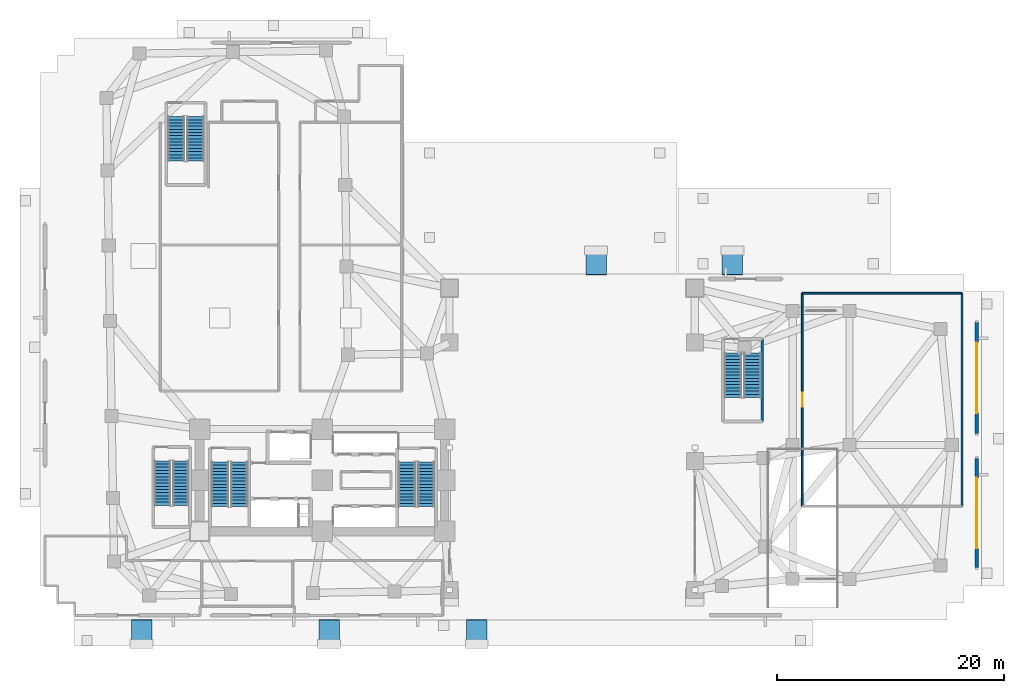
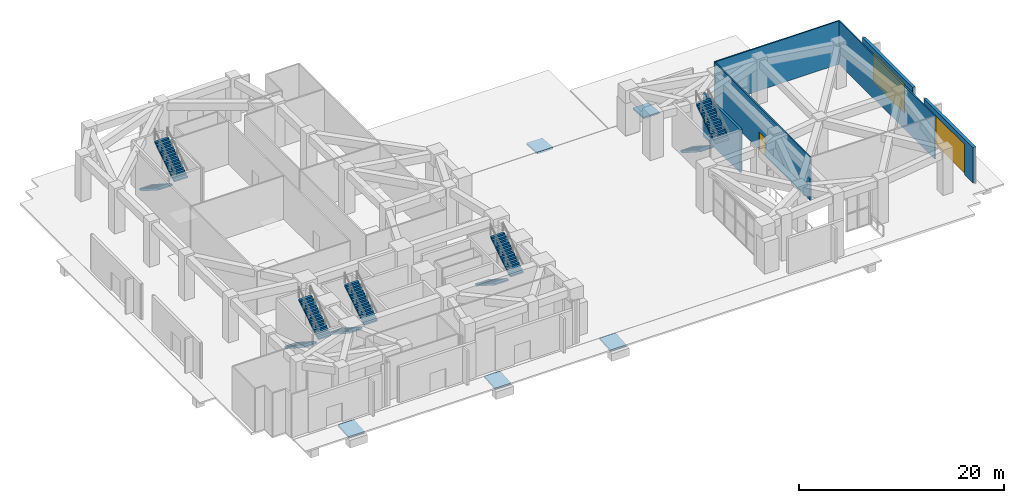
# One storey, part 13 of 19: 10 stair flights, 6 walls, 5 ramp flights, 3 doors, 3 openings, 10 elements without a shape of their own.
"""IFC4 building model written with IfcOpenShell, lengths in metres."""

from ifc_helpers import new_model, si_unit, direction, frame, frame_2d, origin, place, context, subcontext, project, spatial, polyline, rectangle, outline, extrude, material, layer, layer_set, type_object, element, fill, aggregate, save


model = new_model("IFC4")

# Units and contexts
model_context = context("Model", 3, precision=1e-05, world=origin(), true_north=direction((0.0, 1.0)))
body_context = subcontext(model_context, "Body", "Model", "MODEL_VIEW")
ifc_project = project(units=[si_unit("LENGTHUNIT", "METRE"), si_unit("AREAUNIT", "SQUARE_METRE"), si_unit("VOLUMEUNIT", "CUBIC_METRE"), si_unit("PLANEANGLEUNIT", "RADIAN"), si_unit("MASSUNIT", "GRAM", prefix="KILO")], contexts=[model_context])

# Site, building, storey
site_placement = place(None, origin())
site = spatial("IfcSite", under=ifc_project, at=site_placement, CompositionType="ELEMENT")
building_placement = place(site_placement, origin())
building = spatial("IfcBuilding", under=site, at=building_placement, Name="Gaonmaruhae Medical Tower", CompositionType="ELEMENT")
storey_placement = place(building_placement, origin())
storey = spatial("IfcBuildingStorey", under=building, at=storey_placement, Name="L00", CompositionType="ELEMENT", Elevation=0.0)

# Wall, opening, door
ifc_material_1 = material(Name="Precast concrete C45/55", Category="concrete")
ifc_layer_1 = layer(ifc_material_1, 0.320068359375)
ifc_layer_set_1 = layer_set([ifc_layer_1], Name="Precast concrete C45/55")
wall_type_1 = type_object("IfcWallType", Name="EW-320 Lower Precast Masonry-Frame Facade Wall", PredefinedType="SOLIDWALL", material=ifc_layer_set_1)
wall_1_placement = place(storey_placement, frame((82.39990234375, 14.199951171875, 0.0), z_axis=(0.0, 0.0, 1.0), x_axis=(0.0, -1.0, 0.0)))
wall_1 = element("IfcWall", 1, at=wall_1_placement, inside=storey, type_object=wall_type_1, Name="L00 Precast Facade Wall PB-E1", PredefinedType="SOLIDWALL", context=body_context, shape_type="SweptSolid", body=[
    extrude(rectangle(XDim=9.599853515625, YDim=0.320068359375, at=frame_2d((4.7998046875, 0.0))), origin(), (0.0, 0.0, 1.0), 4.22998046875),
])
opening_1_placement = place(wall_1_placement, frame((1.699951171875, 0.0, 0.0)))
opening_1 = element("IfcOpeningElement", 2, at=opening_1_placement, cuts=wall_1, Name="Opening GT-01", PredefinedType="OPENING", context=body_context, shape_type="SweptSolid", body=[
    extrude(rectangle(XDim=6.199951171875, YDim=3.60009765625, at=frame_2d((3.10009765625, 1.800048828125))), frame((0.0, 0.169921875, 0.0), z_axis=(0.0, -1.0, 0.0), x_axis=(1.0, 0.0, 0.0)), (0.0, 0.0, 1.0), 0.340087890625),
])
ifc_material_2 = material(Name="Insulated galvanised steel shutter", Category="steel")
door_type_1 = type_object("IfcDoorType", Name="GT-01 Vehicle Ramp & Ambulance Bay Roller Gate 6200x3600", OperationType="NOTDEFINED", PredefinedType="GATE", material=ifc_material_2)
door_1_placement = place(opening_1_placement, origin())
door_1 = element("IfcDoor", 3, at=door_1_placement, inside=storey, type_object=door_type_1, Name="L00 Car Park Vehicle Ramp Shutter Gate GT-01", OperationType="ROLLINGUP", OverallHeight=3.60009765625, OverallWidth=6.199951171875, PredefinedType="GATE", context=body_context, shape_type="SweptSolid", body=[
    extrude(rectangle(XDim=6.199951171875, YDim=3.60009765625, at=frame_2d((3.10009765625, 1.800048828125))), frame((0.0, 0.02490234375, 0.0), z_axis=(0.0, -1.0, 0.0), x_axis=(1.0, 0.0, 0.0)), (0.0, 0.0, 1.0), 0.050048828125),
])
fill(opening_1, door_1)

wall_2_placement = place(storey_placement, frame((82.39990234375, 26.199951171875, 0.0), z_axis=(0.0, 0.0, 1.0), x_axis=(0.0, -1.0, 0.0)))
wall_2 = element("IfcWall", 4, at=wall_2_placement, inside=storey, type_object=wall_type_1, Name="L00 Precast Facade Wall PB-E2", PredefinedType="SOLIDWALL", context=body_context, shape_type="SweptSolid", body=[
    extrude(rectangle(XDim=9.800048828125, YDim=0.320068359375, at=frame_2d((4.89990234375, 0.0))), origin(), (0.0, 0.0, 1.0), 4.22998046875),
])
opening_2_placement = place(wall_2_placement, frame((1.800048828125, 0.0, 0.0)))
opening_2 = element("IfcOpeningElement", 5, at=opening_2_placement, cuts=wall_2, Name="Opening GT-01", PredefinedType="OPENING", context=body_context, shape_type="SweptSolid", body=[
    extrude(rectangle(XDim=6.199951171875, YDim=3.60009765625, at=frame_2d((3.10009765625, 1.800048828125))), frame((0.0, 0.169921875, 0.0), z_axis=(0.0, -1.0, 0.0), x_axis=(1.0, 0.0, 0.0)), (0.0, 0.0, 1.0), 0.340087890625),
])
door_2_placement = place(opening_2_placement, origin())
door_2 = element("IfcDoor", 6, at=door_2_placement, inside=storey, type_object=door_type_1, Name="L00 Ambulance & Service Bay Gate GT-02", OperationType="ROLLINGUP", OverallHeight=3.60009765625, OverallWidth=6.199951171875, PredefinedType="GATE", context=body_context, shape_type="SweptSolid", body=[
    extrude(rectangle(XDim=6.199951171875, YDim=3.60009765625, at=frame_2d((3.10009765625, 1.800048828125))), frame((0.0, 0.02490234375, 0.0), z_axis=(0.0, -1.0, 0.0), x_axis=(1.0, 0.0, 0.0)), (0.0, 0.0, 1.0), 0.050048828125),
])
fill(opening_2, door_2)

# Walls
ifc_material_3 = material(Name="Gypsum board partition", Category="gypsum")
ifc_layer_2 = layer(ifc_material_3, 0.14990234375)
ifc_layer_set_2 = layer_set([ifc_layer_2], Name="Gypsum board partition")
wall_type_2 = type_object("IfcWallType", Name="PW-150 Rated Clinical Corridor Partition", PredefinedType="PARTITIONING", material=ifc_layer_set_2)
wall_3_placement = place(storey_placement, frame((67.050048828125, 28.75, 0.0), z_axis=(0.0, 0.0, 1.0), x_axis=(1.0, 0.0, 0.0)))
element("IfcWall", 7, at=wall_3_placement, inside=storey, type_object=wall_type_2, Name="L00 Interior Partition L00-EDP-48", PredefinedType="PARTITIONING", context=body_context, shape_type="SweptSolid", body=[
    extrude(rectangle(XDim=14.050048828125, YDim=0.14990234375, at=frame_2d((7.02490234375, 0.0))), origin(), (0.0, 0.0, 1.0), 5.14990234375),
])
wall_4_placement = place(storey_placement, frame((81.10009765625, 28.75, 0.0), z_axis=(0.0, 0.0, 1.0), x_axis=(0.0, -1.0, 0.0)))
element("IfcWall", 8, at=wall_4_placement, inside=storey, type_object=wall_type_2, Name="L00 Interior Partition L00-EDP-49", PredefinedType="PARTITIONING", context=body_context, shape_type="SweptSolid", body=[
    extrude(rectangle(XDim=18.75, YDim=0.14990234375, at=frame_2d((9.375, 0.0))), origin(), (0.0, 0.0, 1.0), 5.14990234375),
])

# Wall, opening, door
wall_5_placement = place(storey_placement, frame((67.050048828125, 10.0, 0.0), z_axis=(0.0, 0.0, 1.0), x_axis=(0.0, 1.0, 0.0)))
wall_5 = element("IfcWall", 9, at=wall_5_placement, inside=storey, type_object=wall_type_2, Name="L00 Interior Partition L00-EDP-51", PredefinedType="PARTITIONING", context=body_context, shape_type="SweptSolid", body=[
    extrude(rectangle(XDim=18.75, YDim=0.14990234375, at=frame_2d((9.375, 0.0))), origin(), (0.0, 0.0, 1.0), 5.14990234375),
])
opening_3_placement = place(wall_5_placement, frame((8.77490234375, 0.0, 0.0)))
opening_3 = element("IfcOpeningElement", 10, at=opening_3_placement, cuts=wall_5, Name="Opening CD-02", PredefinedType="OPENING", context=body_context, shape_type="SweptSolid", body=[
    extrude(rectangle(XDim=1.199951171875, YDim=2.14990234375, at=frame_2d((0.60009765625, 1.074951171875))), frame((0.0, 0.0849609375, 0.0), z_axis=(0.0, -1.0, 0.0), x_axis=(1.0, 0.0, 0.0)), (0.0, 0.0, 1.0), 0.169921875),
])
ifc_material_4 = material(Name="Antimicrobial laminate timber fire door", Category="wood")
door_type_2 = type_object("IfcDoorType", Name="CD-02 Clinical Treatment & Procedure Door 1200x2150", OperationType="NOTDEFINED", PredefinedType="DOOR", material=ifc_material_4)
door_3_placement = place(opening_3_placement, origin())
door_3 = element("IfcDoor", 11, at=door_3_placement, inside=storey, type_object=door_type_2, Name="L00 East Annex Ambulance Dispatch Suite Door", OperationType="SINGLE_SWING_LEFT", OverallHeight=2.14990234375, OverallWidth=1.199951171875, PredefinedType="DOOR", context=body_context, shape_type="SweptSolid", body=[
    extrude(rectangle(XDim=1.199951171875, YDim=2.14990234375, at=frame_2d((0.60009765625, 1.074951171875))), frame((0.0, 0.02490234375, 0.0), z_axis=(0.0, -1.0, 0.0), x_axis=(1.0, 0.0, 0.0)), (0.0, 0.0, 1.0), 0.050048828125),
])
fill(opening_3, door_3)

# Wall
ifc_material_5 = material(Name="Concrete C50/60", Category="concrete")
ifc_layer_3 = layer(ifc_material_5, 0.239990234375)
ifc_layer_set_3 = layer_set([ifc_layer_3], Name="Concrete C50/60")
wall_type_3 = type_object("IfcWallType", Name="SW-240 Dogleg Stair Tight Shaft Wall", PredefinedType="SOLIDWALL", material=ifc_layer_set_3)
wall_6_placement = place(storey_placement, frame((63.530029296875, 24.719970703125, 0.0), z_axis=(0.0, 0.0, 1.0), x_axis=(0.0, -1.0, 0.0)))
element("IfcWall", 12, at=wall_6_placement, inside=storey, type_object=wall_type_3, Name="L00 ST-04 Stair Shaft Wall SHW-ST-04-E", PredefinedType="SOLIDWALL", context=body_context, shape_type="SweptSolid", body=[
    extrude(rectangle(XDim=7.25, YDim=0.239990234375, at=frame_2d((3.625, 0.0))), origin(), (0.0, 0.0, 1.0), 5.14990234375),
])

# Stair, stair flights
ifc_material_6 = material(Name="Concrete C40/50", Category="concrete")
stair_type_1 = type_object("IfcStairType", Name="ST-T1 Primary Core Escape Dogleg Stair", PredefinedType="TWO_QUARTER_TURN_STAIR", material=ifc_material_6)
stair_1_placement = place(storey_placement, origin())
stair_1 = element("IfcStair", 13, at=stair_1_placement, inside=storey, type_object=stair_type_1, Name="L00 Protected Escape Stair ST-01", PredefinedType="TWO_QUARTER_TURN_STAIR")
stair_flight_type_1 = type_object("IfcStairFlightType", Name="SF-T1 Primary Core Precast Stair Flight", PredefinedType="STRAIGHT", material=ifc_material_6)
stair_flight_1_placement = place(storey_placement, frame((15.800048828125, 13.89990234375, 0.0), z_axis=(0.0, 0.0, 1.0), x_axis=(0.0, -1.0, 0.0)))
stair_flight_1 = element("IfcStairFlight", 14, at=stair_flight_1_placement, type_object=stair_flight_type_1, Name="ST-01 flight 1", NumberOfRisers=15, NumberOfTreads=14, PredefinedType="STRAIGHT", RiserHeight=0.18, TreadLength=0.28, context=body_context, shape_type="SweptSolid", body=[
    extrude(outline(polyline([(0.0, 0.0), (0.0, 0.179931640625), (0.280029296875, 0.179931640625), (0.280029296875, 0.360107421875), (0.56005859375, 0.360107421875), (0.56005859375, 0.5400390625), (0.840087890625, 0.5400390625), (0.840087890625, 0.719970703125), (1.1201171875, 0.719970703125), (1.1201171875, 0.89990234375), (1.39990234375, 0.89990234375), (1.39990234375, 1.080078125), (1.679931640625, 1.080078125), (1.679931640625, 1.260009765625), (1.9599609375, 1.260009765625), (1.9599609375, 1.43994140625), (2.239990234375, 1.43994140625), (2.239990234375, 1.6201171875), (2.52001953125, 1.6201171875), (2.52001953125, 1.800048828125), (2.800048828125, 1.800048828125), (2.800048828125, 1.97998046875), (3.080078125, 1.97998046875), (3.080078125, 2.159912109375), (3.360107421875, 2.159912109375), (3.360107421875, 2.340087890625), (3.639892578125, 2.340087890625), (3.639892578125, 2.52001953125), (3.919921875, 2.52001953125), (3.919921875, 2.699951171875), (3.919921875, 2.341796875), (0.277099609375, 0.0), (0.0, 0.0)])), frame((0.0, 0.75, 0.0), z_axis=(0.0, -1.0, 0.0), x_axis=(1.0, 0.0, 0.0)), (0.0, 0.0, 1.0), 1.5),
])
stair_flight_2_placement = place(storey_placement, frame((17.5, 9.97998046875, 2.699951171875), z_axis=(0.0, 0.0, 1.0), x_axis=(0.0, 1.0, 0.0)))
stair_flight_2 = element("IfcStairFlight", 15, at=stair_flight_2_placement, type_object=stair_flight_type_1, Name="ST-01 flight 2", NumberOfRisers=15, NumberOfTreads=14, PredefinedType="STRAIGHT", RiserHeight=0.18, TreadLength=0.28, context=body_context, shape_type="SweptSolid", body=[
    extrude(outline(polyline([(0.0, 0.0), (0.0, 0.179931640625), (0.280029296875, 0.179931640625), (0.280029296875, 0.360107421875), (0.56005859375, 0.360107421875), (0.56005859375, 0.5400390625), (0.840087890625, 0.5400390625), (0.840087890625, 0.719970703125), (1.1201171875, 0.719970703125), (1.1201171875, 0.89990234375), (1.39990234375, 0.89990234375), (1.39990234375, 1.080078125), (1.679931640625, 1.080078125), (1.679931640625, 1.260009765625), (1.9599609375, 1.260009765625), (1.9599609375, 1.43994140625), (2.239990234375, 1.43994140625), (2.239990234375, 1.6201171875), (2.52001953125, 1.6201171875), (2.52001953125, 1.800048828125), (2.800048828125, 1.800048828125), (2.800048828125, 1.97998046875), (3.080078125, 1.97998046875), (3.080078125, 2.159912109375), (3.360107421875, 2.159912109375), (3.360107421875, 2.340087890625), (3.639892578125, 2.340087890625), (3.639892578125, 2.52001953125), (3.919921875, 2.52001953125), (3.919921875, 2.699951171875), (3.919921875, 2.341796875), (0.277099609375, 0.0), (0.0, 0.0)])), frame((0.0, 0.75, 0.0), z_axis=(0.0, -1.0, 0.0), x_axis=(1.0, 0.0, 0.0)), (0.0, 0.0, 1.0), 1.5),
])
aggregate(stair_1, [stair_flight_1, stair_flight_2])

stair_2_placement = place(storey_placement, origin())
stair_2 = element("IfcStair", 16, at=stair_2_placement, inside=storey, type_object=stair_type_1, Name="L00 Protected Escape Stair ST-02", PredefinedType="TWO_QUARTER_TURN_STAIR")
stair_flight_3_placement = place(storey_placement, frame((32.25, 13.89990234375, 0.0), z_axis=(0.0, 0.0, 1.0), x_axis=(0.0, -1.0, 0.0)))
stair_flight_3 = element("IfcStairFlight", 17, at=stair_flight_3_placement, type_object=stair_flight_type_1, Name="ST-02 flight 1", NumberOfRisers=15, NumberOfTreads=14, PredefinedType="STRAIGHT", RiserHeight=0.18, TreadLength=0.28, context=body_context, shape_type="SweptSolid", body=[
    extrude(outline(polyline([(0.0, 0.0), (0.0, 0.179931640625), (0.280029296875, 0.179931640625), (0.280029296875, 0.360107421875), (0.56005859375, 0.360107421875), (0.56005859375, 0.5400390625), (0.840087890625, 0.5400390625), (0.840087890625, 0.719970703125), (1.1201171875, 0.719970703125), (1.1201171875, 0.89990234375), (1.39990234375, 0.89990234375), (1.39990234375, 1.080078125), (1.679931640625, 1.080078125), (1.679931640625, 1.260009765625), (1.9599609375, 1.260009765625), (1.9599609375, 1.43994140625), (2.239990234375, 1.43994140625), (2.239990234375, 1.6201171875), (2.52001953125, 1.6201171875), (2.52001953125, 1.800048828125), (2.800048828125, 1.800048828125), (2.800048828125, 1.97998046875), (3.080078125, 1.97998046875), (3.080078125, 2.159912109375), (3.360107421875, 2.159912109375), (3.360107421875, 2.340087890625), (3.639892578125, 2.340087890625), (3.639892578125, 2.52001953125), (3.919921875, 2.52001953125), (3.919921875, 2.699951171875), (3.919921875, 2.341796875), (0.277099609375, 0.0), (0.0, 0.0)])), frame((0.0, 0.75, 0.0), z_axis=(0.0, -1.0, 0.0), x_axis=(1.0, 0.0, 0.0)), (0.0, 0.0, 1.0), 1.5),
])
stair_flight_4_placement = place(storey_placement, frame((33.949951171875, 9.97998046875, 2.699951171875), z_axis=(0.0, 0.0, 1.0), x_axis=(0.0, 1.0, 0.0)))
stair_flight_4 = element("IfcStairFlight", 18, at=stair_flight_4_placement, type_object=stair_flight_type_1, Name="ST-02 flight 2", NumberOfRisers=15, NumberOfTreads=14, PredefinedType="STRAIGHT", RiserHeight=0.18, TreadLength=0.28, context=body_context, shape_type="SweptSolid", body=[
    extrude(outline(polyline([(0.0, 0.0), (0.0, 0.179931640625), (0.280029296875, 0.179931640625), (0.280029296875, 0.360107421875), (0.56005859375, 0.360107421875), (0.56005859375, 0.5400390625), (0.840087890625, 0.5400390625), (0.840087890625, 0.719970703125), (1.1201171875, 0.719970703125), (1.1201171875, 0.89990234375), (1.39990234375, 0.89990234375), (1.39990234375, 1.080078125), (1.679931640625, 1.080078125), (1.679931640625, 1.260009765625), (1.9599609375, 1.260009765625), (1.9599609375, 1.43994140625), (2.239990234375, 1.43994140625), (2.239990234375, 1.6201171875), (2.52001953125, 1.6201171875), (2.52001953125, 1.800048828125), (2.800048828125, 1.800048828125), (2.800048828125, 1.97998046875), (3.080078125, 1.97998046875), (3.080078125, 2.159912109375), (3.360107421875, 2.159912109375), (3.360107421875, 2.340087890625), (3.639892578125, 2.340087890625), (3.639892578125, 2.52001953125), (3.919921875, 2.52001953125), (3.919921875, 2.699951171875), (3.919921875, 2.341796875), (0.277099609375, 0.0), (0.0, 0.0)])), frame((0.0, 0.75, 0.0), z_axis=(0.0, -1.0, 0.0), x_axis=(1.0, 0.0, 0.0)), (0.0, 0.0, 1.0), 1.5),
])
aggregate(stair_2, [stair_flight_3, stair_flight_4])

stair_type_2 = type_object("IfcStairType", Name="ST-T2 Zone 1 Escape Dogleg Stair", PredefinedType="TWO_QUARTER_TURN_STAIR", material=ifc_material_6)
stair_3_placement = place(storey_placement, origin())
stair_3 = element("IfcStair", 19, at=stair_3_placement, inside=storey, type_object=stair_type_2, Name="L00 Protected Escape Stair ST-03", PredefinedType="TWO_QUARTER_TURN_STAIR")
stair_flight_type_2 = type_object("IfcStairFlightType", Name="SF-T2 Zone 1 Precast Stair Flight", PredefinedType="STRAIGHT", material=ifc_material_6)
stair_flight_5_placement = place(storey_placement, frame((10.75, 14.0, 0.0), z_axis=(0.0, 0.0, 1.0), x_axis=(0.0, -1.0, 0.0)))
stair_flight_5 = element("IfcStairFlight", 20, at=stair_flight_5_placement, type_object=stair_flight_type_2, Name="ST-03 flight 1", NumberOfRisers=15, NumberOfTreads=14, PredefinedType="STRAIGHT", RiserHeight=0.18, TreadLength=0.28, context=body_context, shape_type="SweptSolid", body=[
    extrude(outline(polyline([(0.0, 0.0), (0.0, 0.179931640625), (0.280029296875, 0.179931640625), (0.280029296875, 0.360107421875), (0.56005859375, 0.360107421875), (0.56005859375, 0.5400390625), (0.840087890625, 0.5400390625), (0.840087890625, 0.719970703125), (1.1201171875, 0.719970703125), (1.1201171875, 0.89990234375), (1.39990234375, 0.89990234375), (1.39990234375, 1.080078125), (1.679931640625, 1.080078125), (1.679931640625, 1.260009765625), (1.9599609375, 1.260009765625), (1.9599609375, 1.43994140625), (2.239990234375, 1.43994140625), (2.239990234375, 1.6201171875), (2.52001953125, 1.6201171875), (2.52001953125, 1.800048828125), (2.800048828125, 1.800048828125), (2.800048828125, 1.97998046875), (3.080078125, 1.97998046875), (3.080078125, 2.159912109375), (3.360107421875, 2.159912109375), (3.360107421875, 2.340087890625), (3.639892578125, 2.340087890625), (3.639892578125, 2.52001953125), (3.919921875, 2.52001953125), (3.919921875, 2.699951171875), (3.919921875, 2.341796875), (0.277099609375, 0.0), (0.0, 0.0)])), frame((0.0, 0.699951171875, 0.0), z_axis=(0.0, -1.0, 0.0), x_axis=(1.0, 0.0, 0.0)), (0.0, 0.0, 1.0), 1.39990234375),
])
stair_flight_6_placement = place(storey_placement, frame((12.35009765625, 10.080078125, 2.699951171875), z_axis=(0.0, 0.0, 1.0), x_axis=(0.0, 1.0, 0.0)))
stair_flight_6 = element("IfcStairFlight", 21, at=stair_flight_6_placement, type_object=stair_flight_type_2, Name="ST-03 flight 2", NumberOfRisers=15, NumberOfTreads=14, PredefinedType="STRAIGHT", RiserHeight=0.18, TreadLength=0.28, context=body_context, shape_type="SweptSolid", body=[
    extrude(outline(polyline([(0.0, 0.0), (0.0, 0.179931640625), (0.280029296875, 0.179931640625), (0.280029296875, 0.360107421875), (0.56005859375, 0.360107421875), (0.56005859375, 0.5400390625), (0.840087890625, 0.5400390625), (0.840087890625, 0.719970703125), (1.1201171875, 0.719970703125), (1.1201171875, 0.89990234375), (1.39990234375, 0.89990234375), (1.39990234375, 1.080078125), (1.679931640625, 1.080078125), (1.679931640625, 1.260009765625), (1.9599609375, 1.260009765625), (1.9599609375, 1.43994140625), (2.239990234375, 1.43994140625), (2.239990234375, 1.6201171875), (2.52001953125, 1.6201171875), (2.52001953125, 1.800048828125), (2.800048828125, 1.800048828125), (2.800048828125, 1.97998046875), (3.080078125, 1.97998046875), (3.080078125, 2.159912109375), (3.360107421875, 2.159912109375), (3.360107421875, 2.340087890625), (3.639892578125, 2.340087890625), (3.639892578125, 2.52001953125), (3.919921875, 2.52001953125), (3.919921875, 2.699951171875), (3.919921875, 2.341796875), (0.277099609375, 0.0), (0.0, 0.0)])), frame((0.0, 0.699951171875, 0.0), z_axis=(0.0, -1.0, 0.0), x_axis=(1.0, 0.0, 0.0)), (0.0, 0.0, 1.0), 1.39990234375),
])
aggregate(stair_3, [stair_flight_5, stair_flight_6])

stair_type_3 = type_object("IfcStairType", Name="ST-T3 Podium Escape Dogleg Stair", PredefinedType="TWO_QUARTER_TURN_STAIR", material=ifc_material_6)
stair_4_placement = place(storey_placement, origin())
stair_4 = element("IfcStair", 22, at=stair_4_placement, inside=storey, type_object=stair_type_3, Name="L00 Protected Escape Stair ST-04", PredefinedType="TWO_QUARTER_TURN_STAIR")
stair_flight_type_3 = type_object("IfcStairFlightType", Name="SF-T3 Podium Precast Stair Flight", PredefinedType="STRAIGHT", material=ifc_material_6)
stair_flight_7_placement = place(storey_placement, frame((60.949951171875, 23.5, 0.0), z_axis=(0.0, 0.0, 1.0), x_axis=(0.0, -1.0, 0.0)))
stair_flight_7 = element("IfcStairFlight", 23, at=stair_flight_7_placement, type_object=stair_flight_type_3, Name="ST-04 flight 1", NumberOfRisers=15, NumberOfTreads=14, PredefinedType="STRAIGHT", RiserHeight=0.18, TreadLength=0.28, context=body_context, shape_type="SweptSolid", body=[
    extrude(outline(polyline([(0.0, 0.0), (0.0, 0.179931640625), (0.280029296875, 0.179931640625), (0.280029296875, 0.360107421875), (0.56005859375, 0.360107421875), (0.56005859375, 0.5400390625), (0.840087890625, 0.5400390625), (0.840087890625, 0.719970703125), (1.1201171875, 0.719970703125), (1.1201171875, 0.89990234375), (1.39990234375, 0.89990234375), (1.39990234375, 1.080078125), (1.679931640625, 1.080078125), (1.679931640625, 1.260009765625), (1.9599609375, 1.260009765625), (1.9599609375, 1.43994140625), (2.239990234375, 1.43994140625), (2.239990234375, 1.6201171875), (2.52001953125, 1.6201171875), (2.52001953125, 1.800048828125), (2.800048828125, 1.800048828125), (2.800048828125, 1.97998046875), (3.080078125, 1.97998046875), (3.080078125, 2.159912109375), (3.360107421875, 2.159912109375), (3.360107421875, 2.340087890625), (3.639892578125, 2.340087890625), (3.639892578125, 2.52001953125), (3.919921875, 2.52001953125), (3.919921875, 2.699951171875), (3.919921875, 2.341796875), (0.277099609375, 0.0), (0.0, 0.0)])), frame((0.0, 0.75, 0.0), z_axis=(0.0, -1.0, 0.0), x_axis=(1.0, 0.0, 0.0)), (0.0, 0.0, 1.0), 1.5),
])
stair_flight_8_placement = place(storey_placement, frame((62.64990234375, 19.580078125, 2.699951171875), z_axis=(0.0, 0.0, 1.0), x_axis=(0.0, 1.0, 0.0)))
stair_flight_8 = element("IfcStairFlight", 24, at=stair_flight_8_placement, type_object=stair_flight_type_3, Name="ST-04 flight 2", NumberOfRisers=15, NumberOfTreads=14, PredefinedType="STRAIGHT", RiserHeight=0.18, TreadLength=0.28, context=body_context, shape_type="SweptSolid", body=[
    extrude(outline(polyline([(0.0, 0.0), (0.0, 0.179931640625), (0.280029296875, 0.179931640625), (0.280029296875, 0.360107421875), (0.56005859375, 0.360107421875), (0.56005859375, 0.5400390625), (0.840087890625, 0.5400390625), (0.840087890625, 0.719970703125), (1.1201171875, 0.719970703125), (1.1201171875, 0.89990234375), (1.39990234375, 0.89990234375), (1.39990234375, 1.080078125), (1.679931640625, 1.080078125), (1.679931640625, 1.260009765625), (1.9599609375, 1.260009765625), (1.9599609375, 1.43994140625), (2.239990234375, 1.43994140625), (2.239990234375, 1.6201171875), (2.52001953125, 1.6201171875), (2.52001953125, 1.800048828125), (2.800048828125, 1.800048828125), (2.800048828125, 1.97998046875), (3.080078125, 1.97998046875), (3.080078125, 2.159912109375), (3.360107421875, 2.159912109375), (3.360107421875, 2.340087890625), (3.639892578125, 2.340087890625), (3.639892578125, 2.52001953125), (3.919921875, 2.52001953125), (3.919921875, 2.699951171875), (3.919921875, 2.341796875), (0.277099609375, 0.0), (0.0, 0.0)])), frame((0.0, 0.75, 0.0), z_axis=(0.0, -1.0, 0.0), x_axis=(1.0, 0.0, 0.0)), (0.0, 0.0, 1.0), 1.5),
])
aggregate(stair_4, [stair_flight_7, stair_flight_8])

stair_5_placement = place(storey_placement, origin())
stair_5 = element("IfcStair", 25, at=stair_5_placement, inside=storey, type_object=stair_type_3, Name="L00 Protected Escape Stair ST-05", PredefinedType="TWO_QUARTER_TURN_STAIR")
stair_flight_9_placement = place(storey_placement, frame((11.949951171875, 44.300048828125, 0.0), z_axis=(0.0, 0.0, 1.0), x_axis=(0.0, -1.0, 0.0)))
stair_flight_9 = element("IfcStairFlight", 26, at=stair_flight_9_placement, type_object=stair_flight_type_3, Name="ST-05 flight 1", NumberOfRisers=15, NumberOfTreads=14, PredefinedType="STRAIGHT", RiserHeight=0.18, TreadLength=0.28, context=body_context, shape_type="SweptSolid", body=[
    extrude(outline(polyline([(0.0, 0.0), (0.0, 0.179931640625), (0.280029296875, 0.179931640625), (0.280029296875, 0.360107421875), (0.56005859375, 0.360107421875), (0.56005859375, 0.5400390625), (0.840087890625, 0.5400390625), (0.840087890625, 0.719970703125), (1.1201171875, 0.719970703125), (1.1201171875, 0.89990234375), (1.39990234375, 0.89990234375), (1.39990234375, 1.080078125), (1.679931640625, 1.080078125), (1.679931640625, 1.260009765625), (1.9599609375, 1.260009765625), (1.9599609375, 1.43994140625), (2.239990234375, 1.43994140625), (2.239990234375, 1.6201171875), (2.52001953125, 1.6201171875), (2.52001953125, 1.800048828125), (2.800048828125, 1.800048828125), (2.800048828125, 1.97998046875), (3.080078125, 1.97998046875), (3.080078125, 2.159912109375), (3.360107421875, 2.159912109375), (3.360107421875, 2.340087890625), (3.639892578125, 2.340087890625), (3.639892578125, 2.52001953125), (3.919921875, 2.52001953125), (3.919921875, 2.699951171875), (3.919921875, 2.341796875), (0.277099609375, 0.0), (0.0, 0.0)])), frame((0.0, 0.75, 0.0), z_axis=(0.0, -1.0, 0.0), x_axis=(1.0, 0.0, 0.0)), (0.0, 0.0, 1.0), 1.5),
])
stair_flight_10_placement = place(storey_placement, frame((13.64990234375, 40.3798828125, 2.699951171875), z_axis=(0.0, 0.0, 1.0), x_axis=(0.0, 1.0, 0.0)))
stair_flight_10 = element("IfcStairFlight", 27, at=stair_flight_10_placement, type_object=stair_flight_type_3, Name="ST-05 flight 2", NumberOfRisers=15, NumberOfTreads=14, PredefinedType="STRAIGHT", RiserHeight=0.18, TreadLength=0.28, context=body_context, shape_type="SweptSolid", body=[
    extrude(outline(polyline([(0.0, 0.0), (0.0, 0.179931640625), (0.280029296875, 0.179931640625), (0.280029296875, 0.360107421875), (0.56005859375, 0.360107421875), (0.56005859375, 0.5400390625), (0.840087890625, 0.5400390625), (0.840087890625, 0.719970703125), (1.1201171875, 0.719970703125), (1.1201171875, 0.89990234375), (1.39990234375, 0.89990234375), (1.39990234375, 1.080078125), (1.679931640625, 1.080078125), (1.679931640625, 1.260009765625), (1.9599609375, 1.260009765625), (1.9599609375, 1.43994140625), (2.239990234375, 1.43994140625), (2.239990234375, 1.6201171875), (2.52001953125, 1.6201171875), (2.52001953125, 1.800048828125), (2.800048828125, 1.800048828125), (2.800048828125, 1.97998046875), (3.080078125, 1.97998046875), (3.080078125, 2.159912109375), (3.360107421875, 2.159912109375), (3.360107421875, 2.340087890625), (3.639892578125, 2.340087890625), (3.639892578125, 2.52001953125), (3.919921875, 2.52001953125), (3.919921875, 2.699951171875), (3.919921875, 2.341796875), (0.277099609375, 0.0), (0.0, 0.0)])), frame((0.0, 0.75, 0.0), z_axis=(0.0, -1.0, 0.0), x_axis=(1.0, 0.0, 0.0)), (0.0, 0.0, 1.0), 1.5),
])
aggregate(stair_5, [stair_flight_9, stair_flight_10])

# Ramp, ramp flight
ramp_type = type_object("IfcRampType", Name="AR-01 Accessible Threshold Ramp", PredefinedType="STRAIGHT_RUN_RAMP", material=ifc_material_6)
ramp_1_placement = place(storey_placement, origin())
ramp_1 = element("IfcRamp", 28, at=ramp_1_placement, inside=storey, type_object=ramp_type, Name="L00 South Portal Accessible Entrance Ramp", PredefinedType="STRAIGHT_RUN_RAMP")
ifc_layer_4 = layer(ifc_material_6, 0.199951171875)
ifc_layer_set_4 = layer_set([ifc_layer_4], Name="Concrete C40/50")
ramp_flight_type = type_object("IfcRampFlightType", Name="ARF-01 Non-Slip Accessible Ramp Flight", PredefinedType="STRAIGHT", material=ifc_layer_set_4)
ramp_flight_1_placement = place(storey_placement, frame((37.5, -2.10009765625, -0.14990234375), z_axis=(0.0, -0.070926884946, 0.997481517118), x_axis=(1.0, 0.0, 0.0)))
ramp_flight_1 = element("IfcRampFlight", 29, at=ramp_flight_1_placement, type_object=ramp_flight_type, Name="L00 South Portal Accessible Entrance Ramp Flight", PredefinedType="STRAIGHT", context=body_context, shape_type="SweptSolid", body=[
    extrude(outline(polyline([(0.0, 0.0), (1.800048828125, 0.0), (1.800048828125, 2.113477052653818), (0.0, 2.113477052653818), (0.0, 0.0)])), origin(), (0.0, 0.0, -1.0), 0.199951171875),
])
aggregate(ramp_1, [ramp_flight_1])

ramp_2_placement = place(storey_placement, origin())
ramp_2 = element("IfcRamp", 30, at=ramp_2_placement, inside=storey, type_object=ramp_type, Name="L00 North Forecourt Accessible Entrance Ramp", PredefinedType="STRAIGHT_RUN_RAMP")
ramp_flight_2_placement = place(storey_placement, frame((48.0, 32.5, -0.14990234375), z_axis=(0.0, 0.070935058448, 0.997480935899), x_axis=(1.0, 0.0, 0.0)))
ramp_flight_2 = element("IfcRampFlight", 31, at=ramp_flight_2_placement, type_object=ramp_flight_type, Name="L00 North Forecourt Accessible Entrance Ramp Flight", PredefinedType="STRAIGHT", context=body_context, shape_type="SweptSolid", body=[
    extrude(outline(polyline([(0.0, 0.0), (1.800048828125, 0.0), (1.800048828125, -2.113233526963748), (0.0, -2.113233526963748), (0.0, 0.0)])), origin(), (0.0, 0.0, -1.0), 0.199951171875),
])
aggregate(ramp_2, [ramp_flight_2])

ramp_3_placement = place(storey_placement, origin())
ramp_3 = element("IfcRamp", 32, at=ramp_3_placement, inside=storey, type_object=ramp_type, Name="L00 Emergency Triage Accessible Ramp", PredefinedType="STRAIGHT_RUN_RAMP")
ramp_flight_3_placement = place(storey_placement, frame((8.0, -2.10009765625, -0.14990234375), z_axis=(0.0, -0.070926884946, 0.997481517118), x_axis=(1.0, 0.0, 0.0)))
ramp_flight_3 = element("IfcRampFlight", 33, at=ramp_flight_3_placement, type_object=ramp_flight_type, Name="L00 Emergency Triage Accessible Ramp Flight", PredefinedType="STRAIGHT", context=body_context, shape_type="SweptSolid", body=[
    extrude(outline(polyline([(0.0, 0.0), (1.800048828125, 0.0), (1.800048828125, 2.113477052653818), (0.0, 2.113477052653818), (0.0, 0.0)])), origin(), (0.0, 0.0, -1.0), 0.199951171875),
])
aggregate(ramp_3, [ramp_flight_3])

ramp_4_placement = place(storey_placement, origin())
ramp_4 = element("IfcRamp", 34, at=ramp_4_placement, inside=storey, type_object=ramp_type, Name="L00 East Clinic Accessible Entrance Ramp", PredefinedType="STRAIGHT_RUN_RAMP")
ramp_flight_4_placement = place(storey_placement, frame((60.0, 32.5, -0.14990234375), z_axis=(0.0, 0.070935058448, 0.997480935899), x_axis=(1.0, 0.0, 0.0)))
ramp_flight_4 = element("IfcRampFlight", 35, at=ramp_flight_4_placement, type_object=ramp_flight_type, Name="L00 East Clinic Accessible Entrance Ramp Flight", PredefinedType="STRAIGHT", context=body_context, shape_type="SweptSolid", body=[
    extrude(outline(polyline([(0.0, 0.0), (1.800048828125, 0.0), (1.800048828125, -2.113233526963748), (0.0, -2.113233526963748), (0.0, 0.0)])), origin(), (0.0, 0.0, -1.0), 0.199951171875),
])
aggregate(ramp_4, [ramp_flight_4])

ramp_5_placement = place(storey_placement, origin())
ramp_5 = element("IfcRamp", 36, at=ramp_5_placement, inside=storey, type_object=ramp_type, Name="L00 South Concourse Accessible Entrance Ramp", PredefinedType="STRAIGHT_RUN_RAMP")
ramp_flight_5_placement = place(storey_placement, frame((24.5, -2.10009765625, -0.14990234375), z_axis=(0.0, -0.070926884946, 0.997481517118), x_axis=(1.0, 0.0, 0.0)))
ramp_flight_5 = element("IfcRampFlight", 37, at=ramp_flight_5_placement, type_object=ramp_flight_type, Name="L00 South Concourse Accessible Entrance Ramp Flight", PredefinedType="STRAIGHT", context=body_context, shape_type="SweptSolid", body=[
    extrude(outline(polyline([(0.0, 0.0), (1.800048828125, 0.0), (1.800048828125, 2.113477052653818), (0.0, 2.113477052653818), (0.0, 0.0)])), origin(), (0.0, 0.0, -1.0), 0.199951171875),
])
aggregate(ramp_5, [ramp_flight_5])

save(model, "model.ifc")
